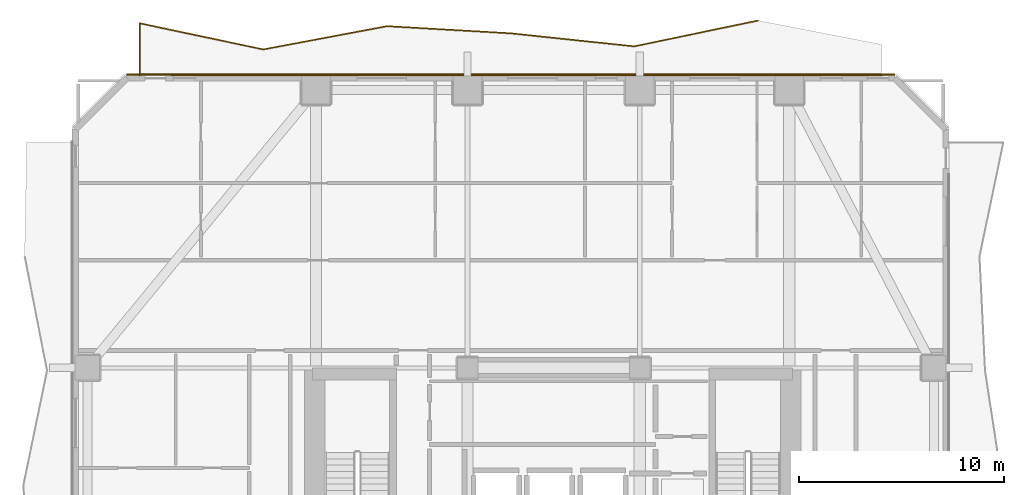
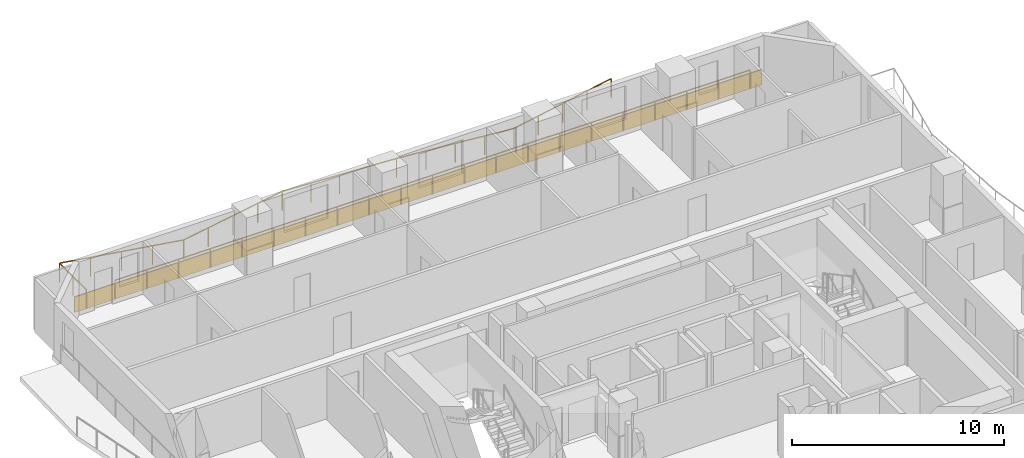
# One storey, part 12 of 12: 2 railings, 1 covering.
"""IFC4 building model written with IfcOpenShell, lengths in metres."""

from ifc_helpers import new_model, si_unit, direction, frame, frame_2d, origin, origin_2d, place, context, subcontext, project, spatial, rectangle, extrude, material, layer, layer_set, type_object, element, save


model = new_model("IFC4")

# Units and contexts
model_context = context("Model", 3, precision=1e-05, world=origin(), true_north=direction((0.0, 1.0)))
body_context = subcontext(model_context, "Body", "Model", "MODEL_VIEW")
ifc_project = project(units=[si_unit("LENGTHUNIT", "METRE"), si_unit("AREAUNIT", "SQUARE_METRE"), si_unit("VOLUMEUNIT", "CUBIC_METRE"), si_unit("PLANEANGLEUNIT", "RADIAN"), si_unit("MASSUNIT", "GRAM", prefix="KILO")], contexts=[model_context])

# Site, building, storey
site_placement = place(None, origin())
site = spatial("IfcSite", under=ifc_project, at=site_placement, CompositionType="ELEMENT")
building_placement = place(site_placement, origin())
building = spatial("IfcBuilding", under=site, at=building_placement, Name="Solanera Arch Residences", CompositionType="ELEMENT")
storey_placement = place(building_placement, frame((0.0, 0.0, 96.1201171875)))
storey = spatial("IfcBuildingStorey", under=building, at=storey_placement, Name="L27", CompositionType="ELEMENT", Elevation=96.1201171875)

# Railings
ifc_material_1 = material(Name="Steel S355 (ASTM A992 / A572 Grade 50)", Category="steel")
railing_type = type_object("IfcRailingType", Name="Balustrade Railing BL-1100", PredefinedType="BALUSTRADE", material=ifc_material_1)
railing_1_placement = place(storey_placement, frame((34.967041015625, 56.346923828125, 0.0)))
element("IfcRailing", 1, at=railing_1_placement, inside=storey, type_object=railing_type, Name="L27 N Balcony Balustrade 1", PredefinedType="BALUSTRADE", context=body_context, shape_type="SweptSolid", body=[
    extrude(rectangle(XDim=0.048095703125, YDim=0.048095703125, at=origin_2d()), frame((0.0, 0.0, 1.09619140625), z_axis=(-0.978916774943, -0.204259510758, 0.0), x_axis=(0.204259510758, -0.978916774943, 0.0)), (0.0, 0.0, 1.0), 6.163818359375),
    extrude(rectangle(XDim=0.048095703125, YDim=0.048095703125, at=origin_2d()), frame((-6.033935546875, -1.259033203125, 1.09619140625), z_axis=(-0.994506555438, 0.10467431008, 0.0), x_axis=(-0.10467431008, -0.994506555438, 0.0)), (0.0, 0.0, 1.0), 6.066650390625),
    extrude(rectangle(XDim=0.048095703125, YDim=0.048095703125, at=origin_2d()), frame((-12.067138671875, -0.6240234375, 1.09619140625), z_axis=(-0.998329785195, 0.057772311636, 0.0), x_axis=(-0.057772311636, -0.998329785195, 0.0)), (0.0, 0.0, 1.0), 6.04296875),
    extrude(rectangle(XDim=0.048095703125, YDim=0.048095703125, at=origin_2d()), frame((-18.10009765625, -0.27490234375, 1.09619140625), z_axis=(-0.982764431872, -0.184862304017, 0.0), x_axis=(0.184862304017, -0.982764431872, 0.0)), (0.0, 0.0, 1.0), 6.1396484375),
    extrude(rectangle(XDim=0.048095703125, YDim=0.048095703125, at=origin_2d()), frame((-24.134033203125, -1.409912109375, 1.09619140625), z_axis=(-0.978320249115, 0.207097779253, 0.0), x_axis=(-0.207097779253, -0.978320249115, 0.0)), (0.0, 0.0, 1.0), 6.166748046875),
    extrude(rectangle(XDim=0.048095703125, YDim=0.048095703125, at=origin_2d()), frame((-30.1669921875, -0.1328125, 1.09619140625), z_axis=(0.0, -1.0, 0.0), x_axis=(1.0, 0.0, 0.0)), (0.0, 0.0, 1.0), 2.5341796875),
    extrude(rectangle(XDim=0.0419921875, YDim=0.0419921875, at=origin_2d()), origin(), (0.0, 0.0, 1.0), 1.072021484375),
    extrude(rectangle(XDim=0.0419921875, YDim=0.0419921875, at=origin_2d()), frame((-1.508544921875, -0.314697265625, 0.0)), (0.0, 0.0, 1.0), 1.072021484375),
    extrude(rectangle(XDim=0.0419921875, YDim=0.0419921875, at=origin_2d()), frame((-3.01708984375, -0.62939453125, 0.0)), (0.0, 0.0, 1.0), 1.072021484375),
    extrude(rectangle(XDim=0.0419921875, YDim=0.0419921875, at=origin_2d()), frame((-4.525390625, -0.9443359375, 0.0)), (0.0, 0.0, 1.0), 1.072021484375),
    extrude(rectangle(XDim=0.0419921875, YDim=0.0419921875, at=origin_2d()), frame((-6.033935546875, -1.259033203125, 0.0)), (0.0, 0.0, 1.0), 1.072021484375),
    extrude(rectangle(XDim=0.0419921875, YDim=0.0419921875, at=origin_2d()), frame((-7.542236328125, -1.100341796875, 0.0)), (0.0, 0.0, 1.0), 1.072021484375),
    extrude(rectangle(XDim=0.0419921875, YDim=0.0419921875, at=origin_2d()), frame((-9.050537109375, -0.94140625, 0.0)), (0.0, 0.0, 1.0), 1.072021484375),
    extrude(rectangle(XDim=0.0419921875, YDim=0.0419921875, at=origin_2d()), frame((-10.558837890625, -0.78271484375, 0.0)), (0.0, 0.0, 1.0), 1.072021484375),
    extrude(rectangle(XDim=0.0419921875, YDim=0.0419921875, at=origin_2d()), frame((-12.067138671875, -0.6240234375, 0.0)), (0.0, 0.0, 1.0), 1.072021484375),
    extrude(rectangle(XDim=0.0419921875, YDim=0.0419921875, at=origin_2d()), frame((-13.575439453125, -0.53662109375, 0.0)), (0.0, 0.0, 1.0), 1.072021484375),
    extrude(rectangle(XDim=0.0419921875, YDim=0.0419921875, at=origin_2d()), frame((-15.08349609375, -0.449462890625, 0.0)), (0.0, 0.0, 1.0), 1.072021484375),
    extrude(rectangle(XDim=0.0419921875, YDim=0.0419921875, at=origin_2d()), frame((-16.591796875, -0.3623046875, 0.0)), (0.0, 0.0, 1.0), 1.072021484375),
    extrude(rectangle(XDim=0.0419921875, YDim=0.0419921875, at=origin_2d()), frame((-18.10009765625, -0.27490234375, 0.0)), (0.0, 0.0, 1.0), 1.072021484375),
    extrude(rectangle(XDim=0.0419921875, YDim=0.0419921875, at=origin_2d()), frame((-19.608642578125, -0.55859375, 0.0)), (0.0, 0.0, 1.0), 1.072021484375),
    extrude(rectangle(XDim=0.0419921875, YDim=0.0419921875, at=origin_2d()), frame((-21.1171875, -0.84228515625, 0.0)), (0.0, 0.0, 1.0), 1.072021484375),
    extrude(rectangle(XDim=0.0419921875, YDim=0.0419921875, at=origin_2d()), frame((-22.62548828125, -1.126220703125, 0.0)), (0.0, 0.0, 1.0), 1.072021484375),
    extrude(rectangle(XDim=0.0419921875, YDim=0.0419921875, at=origin_2d()), frame((-24.134033203125, -1.409912109375, 0.0)), (0.0, 0.0, 1.0), 1.072021484375),
    extrude(rectangle(XDim=0.0419921875, YDim=0.0419921875, at=origin_2d()), frame((-25.642333984375, -1.090576171875, 0.0)), (0.0, 0.0, 1.0), 1.072021484375),
    extrude(rectangle(XDim=0.0419921875, YDim=0.0419921875, at=origin_2d()), frame((-27.150390625, -0.771484375, 0.0)), (0.0, 0.0, 1.0), 1.072021484375),
    extrude(rectangle(XDim=0.0419921875, YDim=0.0419921875, at=origin_2d()), frame((-28.65869140625, -0.4521484375, 0.0)), (0.0, 0.0, 1.0), 1.072021484375),
    extrude(rectangle(XDim=0.0419921875, YDim=0.0419921875, at=origin_2d()), frame((-30.1669921875, -0.1328125, 0.0)), (0.0, 0.0, 1.0), 1.072021484375),
    extrude(rectangle(XDim=0.0419921875, YDim=0.0419921875, at=origin_2d()), frame((-30.1669921875, -1.39990234375, 0.0)), (0.0, 0.0, 1.0), 1.072021484375),
    extrude(rectangle(XDim=0.0419921875, YDim=0.0419921875, at=origin_2d()), frame((-30.1669921875, -2.6669921875, 0.0)), (0.0, 0.0, 1.0), 1.072021484375),
])
railing_2_placement = place(storey_placement, frame((6.365966796875, 53.679931640625, 0.0)))
element("IfcRailing", 2, at=railing_2_placement, inside=storey, type_object=railing_type, Name="L27 N Balcony Balustrade 2", PredefinedType="BALUSTRADE", context=body_context, shape_type="SweptSolid", body=[
    extrude(rectangle(XDim=0.048095703125, YDim=0.048095703125, at=origin_2d()), frame((0.0, 0.0, 1.09619140625), z_axis=(1.0, 0.0, 0.0), x_axis=(0.0, 1.0, 0.0)), (0.0, 0.0, 1.0), 34.634033203125),
    extrude(rectangle(XDim=0.0419921875, YDim=0.0419921875, at=origin_2d()), origin(), (0.0, 0.0, 1.0), 1.072021484375),
    extrude(rectangle(XDim=0.0419921875, YDim=0.0419921875, at=origin_2d()), frame((1.731689453125, 0.0, 0.0)), (0.0, 0.0, 1.0), 1.072021484375),
    extrude(rectangle(XDim=0.0419921875, YDim=0.0419921875, at=origin_2d()), frame((3.46337890625, 0.0, 0.0)), (0.0, 0.0, 1.0), 1.072021484375),
    extrude(rectangle(XDim=0.0419921875, YDim=0.0419921875, at=origin_2d()), frame((5.195068359375, 0.0, 0.0)), (0.0, 0.0, 1.0), 1.072021484375),
    extrude(rectangle(XDim=0.0419921875, YDim=0.0419921875, at=origin_2d()), frame((6.9267578125, 0.0, 0.0)), (0.0, 0.0, 1.0), 1.072021484375),
    extrude(rectangle(XDim=0.0419921875, YDim=0.0419921875, at=origin_2d()), frame((8.658447265625, 0.0, 0.0)), (0.0, 0.0, 1.0), 1.072021484375),
    extrude(rectangle(XDim=0.0419921875, YDim=0.0419921875, at=origin_2d()), frame((10.39013671875, 0.0, 0.0)), (0.0, 0.0, 1.0), 1.072021484375),
    extrude(rectangle(XDim=0.0419921875, YDim=0.0419921875, at=origin_2d()), frame((12.121826171875, 0.0, 0.0)), (0.0, 0.0, 1.0), 1.072021484375),
    extrude(rectangle(XDim=0.0419921875, YDim=0.0419921875, at=origin_2d()), frame((13.853515625, 0.0, 0.0)), (0.0, 0.0, 1.0), 1.072021484375),
    extrude(rectangle(XDim=0.0419921875, YDim=0.0419921875, at=origin_2d()), frame((15.585205078125, 0.0, 0.0)), (0.0, 0.0, 1.0), 1.072021484375),
    extrude(rectangle(XDim=0.0419921875, YDim=0.0419921875, at=origin_2d()), frame((17.31689453125, 0.0, 0.0)), (0.0, 0.0, 1.0), 1.072021484375),
    extrude(rectangle(XDim=0.0419921875, YDim=0.0419921875, at=origin_2d()), frame((19.048828125, 0.0, 0.0)), (0.0, 0.0, 1.0), 1.072021484375),
    extrude(rectangle(XDim=0.0419921875, YDim=0.0419921875, at=origin_2d()), frame((20.780517578125, 0.0, 0.0)), (0.0, 0.0, 1.0), 1.072021484375),
    extrude(rectangle(XDim=0.0419921875, YDim=0.0419921875, at=origin_2d()), frame((22.51220703125, 0.0, 0.0)), (0.0, 0.0, 1.0), 1.072021484375),
    extrude(rectangle(XDim=0.0419921875, YDim=0.0419921875, at=origin_2d()), frame((24.243896484375, 0.0, 0.0)), (0.0, 0.0, 1.0), 1.072021484375),
    extrude(rectangle(XDim=0.0419921875, YDim=0.0419921875, at=origin_2d()), frame((25.9755859375, 0.0, 0.0)), (0.0, 0.0, 1.0), 1.072021484375),
    extrude(rectangle(XDim=0.0419921875, YDim=0.0419921875, at=origin_2d()), frame((27.707275390625, 0.0, 0.0)), (0.0, 0.0, 1.0), 1.072021484375),
    extrude(rectangle(XDim=0.0419921875, YDim=0.0419921875, at=origin_2d()), frame((29.43896484375, 0.0, 0.0)), (0.0, 0.0, 1.0), 1.072021484375),
    extrude(rectangle(XDim=0.0419921875, YDim=0.0419921875, at=origin_2d()), frame((31.170654296875, 0.0, 0.0)), (0.0, 0.0, 1.0), 1.072021484375),
    extrude(rectangle(XDim=0.0419921875, YDim=0.0419921875, at=origin_2d()), frame((32.90234375, 0.0, 0.0)), (0.0, 0.0, 1.0), 1.072021484375),
    extrude(rectangle(XDim=0.0419921875, YDim=0.0419921875, at=origin_2d()), frame((34.634033203125, 0.0, 0.0)), (0.0, 0.0, 1.0), 1.072021484375),
])

# Covering
ifc_material_2 = material(Name="Philippine Adobe Travertine Cladding", Category="masonry")
ifc_layer = layer(ifc_material_2, 0.06005859375)
ifc_layer_set = layer_set([ifc_layer], Name="Philippine Adobe Travertine Cladding")
covering_type = type_object("IfcCoveringType", Name="Precast Pier Stone Cladding CLD-60", PredefinedType="CLADDING", material=ifc_layer_set)
covering_placement = place(storey_placement, frame((4.1650390625, 53.715087890625, 0.0), z_axis=(0.0, 0.0, 1.0), x_axis=(1.0, 0.0, 0.0)))
element("IfcCovering", 3, at=covering_placement, inside=storey, type_object=covering_type, Name="L27 N Precast Spandrel Stone Band", PredefinedType="CLADDING", context=body_context, shape_type="SweptSolid", body=[
    extrude(rectangle(XDim=37.469970703125, YDim=0.06005859375, at=frame_2d((18.73486328125, 0.0))), origin(), (0.0, 0.0, 1.0), 0.89990234375),
])

save(model, "model.ifc")
